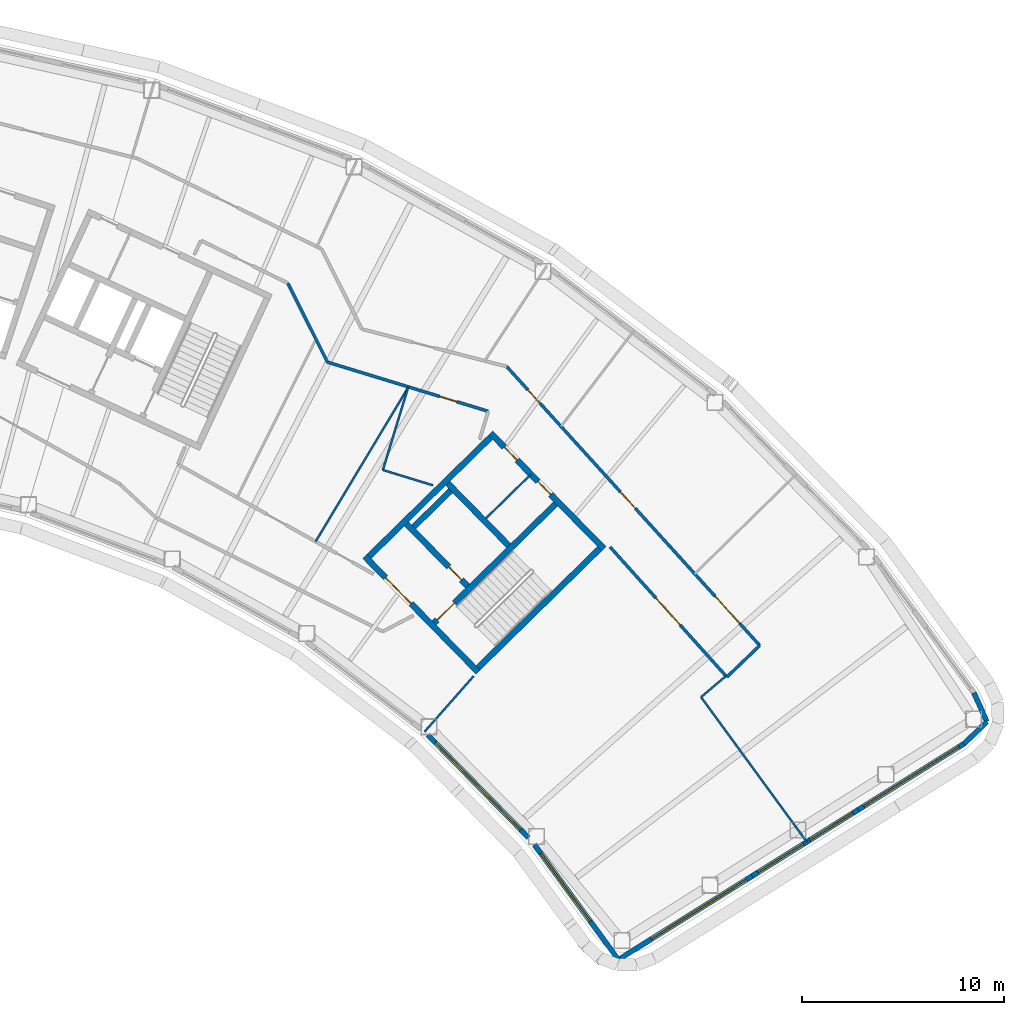
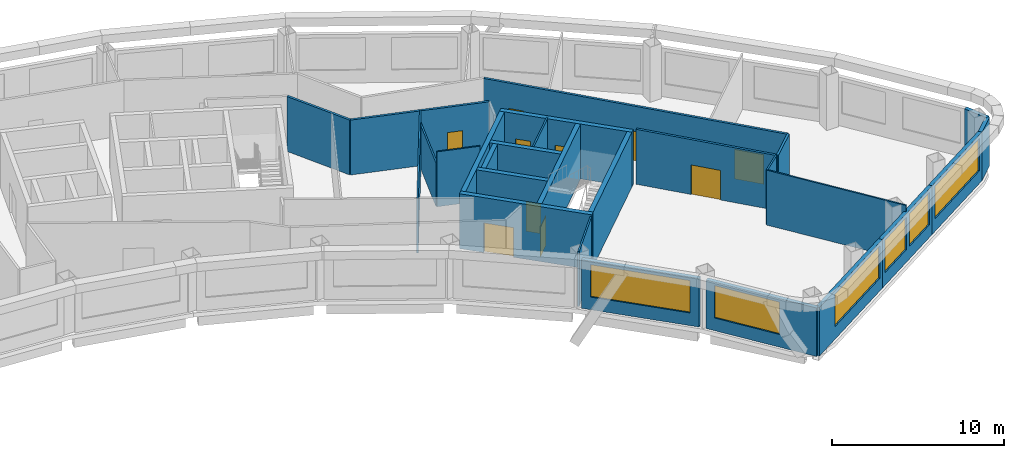
# One storey, part 9 of 14: 27 walls, 10 doors, 6 windows, 16 openings.
"""IFC4 building model written with IfcOpenShell, lengths in metres."""

import ifcopenshell
import ifcopenshell.guid

model = None  # the IFC model being written
_history = None  # IfcOwnerHistory: only IFC2X3 demands one
_inside = {}  # id of a spatial element -> (the spatial element, [elements in it])
_under = {}  # id of a project, library or spatial element -> (it, [spatial elements below it])
_declared = {}  # id of a project -> (the project, [libraries it declares])
_typed = {}  # id of a type object -> (the type object, [elements of that type])
_made_of = {}  # id of a material, layer set ... -> (it, [elements and type objects made of it])


def new_model(schema):
    """Start an empty IFC model of exactly this schema.

    Asked for "IFC4X3", IfcOpenShell would pick the latest addendum, in which some entities
    have other attributes; the version numbers below select the first issue.
    IFC2X3 requires an IfcOwnerHistory on every rooted entity: one is made here for all.
    """
    global model, _history
    if schema == "IFC4X3":
        model = ifcopenshell.file(schema_version=(4, 3, 0, 0))
    else:
        model = ifcopenshell.file(schema=schema)
    _inside.clear()
    _under.clear()
    _declared.clear()
    _typed.clear()
    _made_of.clear()
    _history = None
    if model.schema == "IFC2X3":
        org = make("IfcOrganization", Name="unknown")
        user = make(
            "IfcPersonAndOrganization",
            ThePerson=make("IfcPerson", FamilyName="unknown"),
            TheOrganization=org,
        )
        app = make(
            "IfcApplication",
            ApplicationDeveloper=org,
            Version="unknown",
            ApplicationFullName="unknown",
            ApplicationIdentifier="unknown",
        )
        _history = make(
            "IfcOwnerHistory",
            OwningUser=user,
            OwningApplication=app,
            ChangeAction="ADDED",
            CreationDate=0,
        )
    return model


def make(cls, **values):
    """One entity of the class cls with the attributes given. An attribute that is None is left unset."""
    return model.create_entity(
        cls, **{name: value for name, value in values.items() if value is not None}
    )


def rooted(cls, **values):
    """An entity with a GlobalId (a new one), such as an element, a storey or a relation."""
    return make(cls, GlobalId=ifcopenshell.guid.new(), OwnerHistory=_history, **values)


def si_unit(unit_type, name, prefix=None):
    """IfcSIUnit, for example si_unit("LENGTHUNIT", "METRE", prefix="MILLI")."""
    return make("IfcSIUnit", UnitType=unit_type, Prefix=prefix, Name=name)


def assignment(units):
    """IfcUnitAssignment: the units of a project."""
    return None if units is None else make("IfcUnitAssignment", Units=units)


def point(xyz):
    """IfcCartesianPoint."""
    return None if xyz is None else make("IfcCartesianPoint", Coordinates=xyz)


def direction(xyz):
    """IfcDirection."""
    return None if xyz is None else make("IfcDirection", DirectionRatios=xyz)


def frame(location, z_axis=None, x_axis=None):
    """IfcAxis2Placement3D, a coordinate frame: its origin and axes. An axis left out is left unset."""
    return make(
        "IfcAxis2Placement3D",
        Location=point(location),
        Axis=direction(z_axis),
        RefDirection=direction(x_axis),
    )


def frame_2d(location, x_axis=None):
    """IfcAxis2Placement2D, a coordinate frame in the plane: its origin and x axis."""
    return make(
        "IfcAxis2Placement2D", Location=point(location), RefDirection=direction(x_axis)
    )


def origin():
    """The frame at (0, 0, 0) with its axes left unset."""
    return frame((0.0, 0.0, 0.0))


def place(relative_to, where):
    """IfcLocalPlacement: puts the frame where relative to a parent placement (None: the world)."""
    return make(
        "IfcLocalPlacement", PlacementRelTo=relative_to, RelativePlacement=where
    )


def context(
    kind, dimensions, precision=None, world=None, true_north=None, identifier=None
):
    """IfcGeometricRepresentationContext, for example the 3D "Model" context."""
    return make(
        "IfcGeometricRepresentationContext",
        ContextIdentifier=identifier,
        ContextType=kind,
        CoordinateSpaceDimension=dimensions,
        Precision=precision,
        WorldCoordinateSystem=world,
        TrueNorth=true_north,
    )


def subcontext(parent, identifier, kind, view, scale=None):
    """IfcGeometricRepresentationSubContext, for example "Body" below "Model"."""
    return make(
        "IfcGeometricRepresentationSubContext",
        ContextIdentifier=identifier,
        ContextType=kind,
        ParentContext=parent,
        TargetScale=scale,
        TargetView=view,
    )


def project(units=None, contexts=None):
    """IfcProject with its units and contexts."""
    return rooted(
        "IfcProject",
        Name="project",
        RepresentationContexts=contexts,
        UnitsInContext=assignment(units),
    )


def spatial(cls, under=None, at=None, **own):
    """A site, building, storey or space (cls), placed at a placement, below another one or the project."""
    s = rooted(cls, ObjectPlacement=at, **own)
    if under is not None:
        _under.setdefault(under.id(), (under, []))[1].append(s)
    return s


def profile(cls, at=None, kind="AREA", **sizes):
    """A parametric profile (cls). Its sizes go by their IFC names, for example OverallWidth=200.0."""
    return make(cls, ProfileType=kind, Position=at, **sizes)


def rectangle(**sizes):
    """IfcRectangleProfileDef."""
    return profile("IfcRectangleProfileDef", **sizes)


def extrude(swept, where, along, depth):
    """IfcExtrudedAreaSolid: the profile swept, set in the frame where, extruded along a direction by depth."""
    return make(
        "IfcExtrudedAreaSolid",
        SweptArea=swept,
        Position=where,
        ExtrudedDirection=direction(along),
        Depth=depth,
    )


def shape(context_of_items, identifier, shape_type, items):
    """IfcShapeRepresentation: the items that make up one representation, for example the "Body"."""
    return make(
        "IfcShapeRepresentation",
        ContextOfItems=context_of_items,
        RepresentationIdentifier=identifier,
        RepresentationType=shape_type,
        Items=items,
    )


def material(Name=None, Category=None):
    """IfcMaterial."""
    return make("IfcMaterial", Name=Name, Category=Category)


def layer(
    of_material, thickness, ventilated=None, Name=None, Category=None, Priority=None
):
    """IfcMaterialLayer: one layer of a wall or slab, of a material (None: an air gap)."""
    return make(
        "IfcMaterialLayer",
        Material=of_material,
        LayerThickness=thickness,
        IsVentilated=ventilated,
        Name=Name,
        Category=Category,
        Priority=Priority,
    )


def layer_set(layers, Name=None):
    """IfcMaterialLayerSet."""
    return make("IfcMaterialLayerSet", MaterialLayers=layers, LayerSetName=Name)


def made_of(thing, what):
    """Note that an element or type object is made of a material, layer set ...; save() writes the relation."""
    if what is not None:
        _made_of.setdefault(what.id(), (what, []))[1].append(thing)
    return thing


def type_object(cls, material=None, **own):
    """A type object (cls), such as IfcWallType, which elements share."""
    return made_of(rooted(cls, **own), material)


def element(
    cls,
    number,
    at=None,
    inside=None,
    cuts=None,
    type_object=None,
    material=None,
    context=None,
    identifier="Body",
    shape_type=None,
    held_by="IfcProductDefinitionShape",
    body=None,
    shapes=None,
    **own,
):
    """One element of the class cls, such as IfcWall. Its Tag is "e" and its number.

    at: its placement. inside: the storey or other place that contains it. cuts: it is an
    opening in that element (IfcRelVoidsElement). A single representation is given by context,
    identifier, shape_type and body (its items); several are given by shapes. held_by: the class
    of the entity that holds the representations. save() writes the other relations.
    """
    e = rooted(cls, Tag="e%d" % number, ObjectPlacement=at, **own)
    if body is not None:
        shapes = [shape(context, identifier, shape_type, body)]
    if shapes is not None:
        e.Representation = make(held_by, Representations=shapes)
    if inside is not None:
        _inside.setdefault(inside.id(), (inside, []))[1].append(e)
    if cuts is not None:
        rooted(
            "IfcRelVoidsElement", RelatingBuildingElement=cuts, RelatedOpeningElement=e
        )
    if type_object is not None:
        _typed.setdefault(type_object.id(), (type_object, []))[1].append(e)
    return made_of(e, material)


def fill(opening, filler):
    """IfcRelFillsElement: the door or window that sits in an opening."""
    return rooted(
        "IfcRelFillsElement",
        RelatingOpeningElement=opening,
        RelatedBuildingElement=filler,
    )


def aggregate(whole, parts):
    """IfcRelAggregates: a whole, such as a stair, and the parts it consists of."""
    return rooted("IfcRelAggregates", RelatingObject=whole, RelatedObjects=parts)


def save(model, path):
    """Write the relations noted so far, then the file.

    IfcRelAggregates (storeys below a building ...), IfcRelContainedInSpatialStructure (elements
    in a storey), IfcRelDefinesByType, IfcRelAssociatesMaterial and IfcRelDeclares: one each for
    every whole, place, type object, material and project.
    """
    for whole, parts in _under.values():
        aggregate(whole, parts)
    for where, things in _inside.values():
        rooted(
            "IfcRelContainedInSpatialStructure",
            RelatedElements=things,
            RelatingStructure=where,
        )
    for kind, things in _typed.values():
        rooted("IfcRelDefinesByType", RelatedObjects=things, RelatingType=kind)
    for what, things in _made_of.values():
        rooted("IfcRelAssociatesMaterial", RelatedObjects=things, RelatingMaterial=what)
    for by, libraries in _declared.values():
        rooted("IfcRelDeclares", RelatingContext=by, RelatedDefinitions=libraries)
    model.write(path)


model = new_model("IFC4")

# Units and contexts
model_context = context("Model", 3, precision=1e-05, world=origin(), true_north=direction((0.0, 1.0)))
body_context = subcontext(model_context, "Body", "Model", "MODEL_VIEW")
ifc_project = project(units=[si_unit("LENGTHUNIT", "METRE"), si_unit("AREAUNIT", "SQUARE_METRE"), si_unit("VOLUMEUNIT", "CUBIC_METRE"), si_unit("PLANEANGLEUNIT", "RADIAN"), si_unit("MASSUNIT", "GRAM", prefix="KILO")], contexts=[model_context])

# Site, building, storey
site_placement = place(None, origin())
site = spatial("IfcSite", under=ifc_project, at=site_placement, CompositionType="ELEMENT")
building_placement = place(site_placement, origin())
building = spatial("IfcBuilding", under=site, at=building_placement, Name="Tuul Gate Civic Tower", CompositionType="ELEMENT")
storey_placement = place(building_placement, frame((0.0, 0.0, 269.39990234375)))
storey = spatial("IfcBuildingStorey", under=building, at=storey_placement, Name="Level 61", CompositionType="ELEMENT", Elevation=269.39990234375)

# Wall, opening, door
ifc_material_1 = material(Name="Concrete C50/60", Category="concrete")
ifc_layer_1 = layer(ifc_material_1, 0.300048828125)
ifc_layer_set_1 = layer_set([ifc_layer_1], Name="Concrete C50/60")
wall_type_1 = type_object("IfcWallType", Name="Core wall C50/60", PredefinedType="SHEAR", material=ifc_layer_set_1)
wall_1_placement = place(storey_placement, frame((48.22509765625, -18.327880859375, 0.0), z_axis=(0.0, 0.0, 1.0), x_axis=(-0.700021979774, 0.714121297703, 0.0)))
wall_1 = element("IfcWall", 1, at=wall_1_placement, inside=storey, type_object=wall_type_1, Name="Core wall", PredefinedType="SHEAR", context=body_context, shape_type="SweptSolid", body=[
    extrude(rectangle(XDim=8.0, YDim=0.300048828125, at=frame_2d((4.0, 0.0))), origin(), (0.0, 0.0, 1.0), 3.900146484375),
])
opening_1_placement = place(wall_1_placement, frame((4.72509765625, 0.0, 0.0)))
opening_1 = element("IfcOpeningElement", 2, at=opening_1_placement, cuts=wall_1, Name="Opening LB-E1-LOBBY-1", PredefinedType="OPENING", context=body_context, shape_type="SweptSolid", body=[
    extrude(rectangle(XDim=1.800048828125, YDim=2.10009765625, at=frame_2d((0.89990234375, 1.050048828125))), frame((0.0, 0.16015625, 0.0), z_axis=(0.0, -1.0, 0.0), x_axis=(1.0, 0.0, 0.0)), (0.0, 0.0, 1.0), 0.320068359375),
])
ifc_material_2 = material(Name="Steel", Category="steel")
door_type_1 = type_object("IfcDoorType", Name="Lobby door", OperationType="DOUBLE_DOOR_SINGLE_SWING", PredefinedType="DOOR", material=ifc_material_2)
door_1_placement = place(opening_1_placement, frame((1.800048828125, 0.0, 0.0), z_axis=(0.0, 0.0, 1.0), x_axis=(-1.0, 0.0, 0.0)))
door_1 = element("IfcDoor", 3, at=door_1_placement, inside=storey, type_object=door_type_1, Name="Lobby door E1-LOBBY", OperationType="DOUBLE_DOOR_SINGLE_SWING", OverallHeight=2.10009765625, OverallWidth=1.800048828125, PredefinedType="DOOR", context=body_context, shape_type="SweptSolid", body=[
    extrude(rectangle(XDim=1.800048828125, YDim=2.10009765625, at=frame_2d((0.900146484375, 1.050048828125))), frame((0.0, 0.02490234375, 0.0), z_axis=(0.0, -1.0, 0.0), x_axis=(1.0, 0.0, 0.0)), (0.0, 0.0, 1.0), 0.050048828125),
])
fill(opening_1, door_1)

wall_2_placement = place(storey_placement, frame((47.701904296875, -14.079833984375, 0.0), z_axis=(0.0, 0.0, 1.0), x_axis=(-0.700002721075, 0.714140175657, 0.0)))
wall_2 = element("IfcWall", 4, at=wall_2_placement, inside=storey, type_object=wall_type_1, Name="Core wall", PredefinedType="SHEAR", context=body_context, shape_type="SweptSolid", body=[
    extrude(rectangle(XDim=4.300048828125, YDim=0.300048828125, at=frame_2d((2.14990234375, 0.0))), origin(), (0.0, 0.0, 1.0), 3.900146484375),
])
opening_2_placement = place(wall_2_placement, frame((0.425048828125, 0.0, 0.0)))
opening_2 = element("IfcOpeningElement", 5, at=opening_2_placement, cuts=wall_2, Name="Opening FB-E1A1", PredefinedType="OPENING", context=body_context, shape_type="SweptSolid", body=[
    extrude(rectangle(XDim=0.89990234375, YDim=2.10009765625, at=frame_2d((0.449951171875, 1.050048828125))), frame((0.0, 0.16015625, 0.0), z_axis=(0.0, -1.0, 0.0), x_axis=(1.0, 0.0, 0.0)), (0.0, 0.0, 1.0), 0.320068359375),
])
ifc_material_3 = material(Name="Steel", Category="steel")
door_type_2 = type_object("IfcDoorType", Name="Store door", OperationType="NOTDEFINED", PredefinedType="DOOR", material=ifc_material_3)
door_2_placement = place(opening_2_placement, frame((0.89990234375, 0.0, 0.0), z_axis=(0.0, 0.0, 1.0), x_axis=(-1.0, 0.0, 0.0)))
door_2 = element("IfcDoor", 6, at=door_2_placement, inside=storey, type_object=door_type_2, Name="Store door E1A1", OperationType="SINGLE_SWING_RIGHT", OverallHeight=2.10009765625, OverallWidth=0.89990234375, PredefinedType="DOOR", context=body_context, shape_type="SweptSolid", body=[
    extrude(rectangle(XDim=0.89990234375, YDim=2.10009765625, at=frame_2d((0.449951171875, 1.050048828125))), frame((0.0, 0.02490234375, 0.0), z_axis=(0.0, -1.0, 0.0), x_axis=(1.0, 0.0, 0.0)), (0.0, 0.0, 1.0), 0.050048828125),
])
fill(opening_2, door_2)

# Wall
wall_3_placement = place(storey_placement, frame((49.737060546875, -12.0849609375, 0.0), z_axis=(0.0, 0.0, 1.0), x_axis=(-0.700002721075, 0.714140175657, 0.0)))
element("IfcWall", 7, at=wall_3_placement, inside=storey, type_object=wall_type_1, Name="Core wall", PredefinedType="SHEAR", context=body_context, shape_type="SweptSolid", body=[
    extrude(rectangle(XDim=4.300048828125, YDim=0.300048828125, at=frame_2d((2.14990234375, 0.0))), origin(), (0.0, 0.0, 1.0), 3.900146484375),
])

# Wall, openings, doors
wall_4_placement = place(storey_placement, frame((54.43798828125, -12.23779296875, 0.0), z_axis=(0.0, 0.0, 1.0), x_axis=(-0.700021979774, 0.714121297703, 0.0)))
wall_4 = element("IfcWall", 8, at=wall_4_placement, inside=storey, type_object=wall_type_1, Name="Core wall", PredefinedType="SHEAR", context=body_context, shape_type="SweptSolid", body=[
    extrude(rectangle(XDim=8.0, YDim=0.300048828125, at=frame_2d((4.0, 0.0))), origin(), (0.0, 0.0, 1.0), 3.900146484375),
])
opening_3_placement = place(wall_4_placement, frame((3.75, 0.0, 0.0)))
opening_3 = element("IfcOpeningElement", 9, at=opening_3_placement, cuts=wall_4, Name="Opening W-D35", PredefinedType="OPENING", context=body_context, shape_type="SweptSolid", body=[
    extrude(rectangle(XDim=0.89990234375, YDim=2.10009765625, at=frame_2d((0.449951171875, 1.050048828125))), frame((0.0, 0.16015625, 0.0), z_axis=(0.0, -1.0, 0.0), x_axis=(1.0, 0.0, 0.0)), (0.0, 0.0, 1.0), 0.320068359375),
])
opening_4_placement = place(wall_4_placement, frame((6.125, 0.0, 0.0)))
opening_4 = element("IfcOpeningElement", 10, at=opening_4_placement, cuts=wall_4, Name="Opening W-D36", PredefinedType="OPENING", context=body_context, shape_type="SweptSolid", body=[
    extrude(rectangle(XDim=0.89990234375, YDim=2.10009765625, at=frame_2d((0.449951171875, 1.050048828125))), frame((0.0, 0.16015625, 0.0), z_axis=(0.0, -1.0, 0.0), x_axis=(1.0, 0.0, 0.0)), (0.0, 0.0, 1.0), 0.320068359375),
])
ifc_material_4 = material(Name="Timber door leaf", Category="wood")
door_type_3 = type_object("IfcDoorType", Name="Door D09", OperationType="NOTDEFINED", PredefinedType="DOOR", material=ifc_material_4)
door_3_placement = place(opening_3_placement, origin())
door_3 = element("IfcDoor", 11, at=door_3_placement, inside=storey, type_object=door_type_3, Name="Door W-D35", OperationType="SINGLE_SWING_LEFT", OverallHeight=2.10009765625, OverallWidth=0.89990234375, PredefinedType="DOOR", context=body_context, shape_type="SweptSolid", body=[
    extrude(rectangle(XDim=0.89990234375, YDim=2.10009765625, at=frame_2d((0.449951171875, 1.050048828125))), frame((0.0, 0.02490234375, 0.0), z_axis=(0.0, -1.0, 0.0), x_axis=(1.0, 0.0, 0.0)), (0.0, 0.0, 1.0), 0.050048828125),
])
fill(opening_3, door_3)
door_4_placement = place(opening_4_placement, origin())
door_4 = element("IfcDoor", 12, at=door_4_placement, inside=storey, type_object=door_type_3, Name="Door W-D36", OperationType="SINGLE_SWING_LEFT", OverallHeight=2.10009765625, OverallWidth=0.89990234375, PredefinedType="DOOR", context=body_context, shape_type="SweptSolid", body=[
    extrude(rectangle(XDim=0.89990234375, YDim=2.10009765625, at=frame_2d((0.449951171875, 1.050048828125))), frame((0.0, 0.02490234375, 0.0), z_axis=(0.0, -1.0, 0.0), x_axis=(1.0, 0.0, 0.0)), (0.0, 0.0, 1.0), 0.050048828125),
])
fill(opening_4, door_4)

# Wall
wall_5_placement = place(storey_placement, frame((48.227294921875, -18.115966796875, 0.0), z_axis=(0.0, 0.0, 1.0), x_axis=(0.714105315431, 0.700038283577, 0.0)))
element("IfcWall", 13, at=wall_5_placement, inside=storey, type_object=wall_type_1, Name="Core wall", PredefinedType="SHEAR", context=body_context, shape_type="SweptSolid", body=[
    extrude(rectangle(XDim=8.400146484375, YDim=0.300048828125, at=frame_2d((4.2001953125, 0.0))), origin(), (0.0, 0.0, 1.0), 3.900146484375),
])

# Wall, opening, door
wall_6_placement = place(storey_placement, frame((46.05712890625, -15.902099609375, 0.0), z_axis=(0.0, 0.0, 1.0), x_axis=(0.714134086973, 0.700008932674, 0.0)))
wall_6 = element("IfcWall", 14, at=wall_6_placement, inside=storey, type_object=wall_type_1, Name="Core wall", PredefinedType="SHEAR", context=body_context, shape_type="SweptSolid", body=[
    extrude(rectangle(XDim=8.400146484375, YDim=0.300048828125, at=frame_2d((4.2001953125, 0.0))), origin(), (0.0, 0.0, 1.0), 3.900146484375),
])
opening_5_placement = place(wall_6_placement, frame((0.199951171875, 0.0, 0.0)))
opening_5 = element("IfcOpeningElement", 15, at=opening_5_placement, cuts=wall_6, Name="Opening SD-ST-3", PredefinedType="OPENING", context=body_context, shape_type="SweptSolid", body=[
    extrude(rectangle(XDim=1.199951171875, YDim=2.10009765625, at=frame_2d((0.60009765625, 1.050048828125))), frame((0.0, 0.16015625, 0.0), z_axis=(0.0, -1.0, 0.0), x_axis=(1.0, 0.0, 0.0)), (0.0, 0.0, 1.0), 0.320068359375),
])
ifc_material_5 = material(Name="Steel", Category="steel")
door_type_4 = type_object("IfcDoorType", Name="Stair door", OperationType="NOTDEFINED", PredefinedType="DOOR", material=ifc_material_5)
door_5_placement = place(opening_5_placement, origin())
door_5 = element("IfcDoor", 16, at=door_5_placement, inside=storey, type_object=door_type_4, Name="Stair door ST-3", OperationType="SINGLE_SWING_LEFT", OverallHeight=2.10009765625, OverallWidth=1.199951171875, PredefinedType="DOOR", context=body_context, shape_type="SweptSolid", body=[
    extrude(rectangle(XDim=1.199951171875, YDim=2.10009765625, at=frame_2d((0.60009765625, 1.050048828125))), frame((0.0, 0.02490234375, 0.0), z_axis=(0.0, -1.0, 0.0), x_axis=(1.0, 0.0, 0.0)), (0.0, 0.0, 1.0), 0.050048828125),
])
fill(opening_5, door_5)

# Walls
wall_7_placement = place(storey_placement, frame((45.0439453125, -11.154052734375, 0.0), z_axis=(0.0, 0.0, 1.0), x_axis=(0.714108498262, 0.700035036773, 0.0)))
element("IfcWall", 17, at=wall_7_placement, inside=storey, type_object=wall_type_1, Name="Core wall", PredefinedType="SHEAR", context=body_context, shape_type="SweptSolid", body=[
    extrude(rectangle(XDim=2.550048828125, YDim=0.300048828125, at=frame_2d((1.27490234375, 0.0))), origin(), (0.0, 0.0, 1.0), 3.900146484375),
])
wall_8_placement = place(storey_placement, frame((42.837158203125, -12.616943359375, 0.0), z_axis=(0.0, 0.0, 1.0), x_axis=(0.714119844755, 0.700023461983, 0.0)))
element("IfcWall", 18, at=wall_8_placement, inside=storey, type_object=wall_type_1, Name="Core wall", PredefinedType="SHEAR", context=body_context, shape_type="SweptSolid", body=[
    extrude(rectangle(XDim=8.39990234375, YDim=0.300048828125, at=frame_2d((4.199951171875, 0.0))), origin(), (0.0, 0.0, 1.0), 3.900146484375),
])

# Wall, opening, door
ifc_material_6 = material(Name="Gypsum board partition")
ifc_layer_2 = layer(ifc_material_6, 0.14990234375)
ifc_layer_set_2 = layer_set([ifc_layer_2], Name="Gypsum board partition")
wall_type_2 = type_object("IfcWallType", Name="Corridor wall P150", PredefinedType="PARTITIONING", material=ifc_layer_set_2)
wall_9_placement = place(storey_placement, frame((54.74072265625, -12.151123046875, 0.0), z_axis=(0.0, 0.0, 1.0), x_axis=(0.66824580338, -0.74394055291, 0.0)))
wall_9 = element("IfcWall", 19, at=wall_9_placement, inside=storey, type_object=wall_type_2, Name="p012", PredefinedType="PARTITIONING", context=body_context, shape_type="SweptSolid", body=[
    extrude(rectangle(XDim=8.63427734375, YDim=0.14990234375, at=frame_2d((4.317138671875, 0.0))), origin(), (0.0, 0.0, 1.0), 3.900146484375),
])
opening_6_placement = place(wall_9_placement, frame((3.382568359375, 0.0, 0.0)))
opening_6 = element("IfcOpeningElement", 20, at=opening_6_placement, cuts=wall_9, Name="Opening W-D21", PredefinedType="OPENING", context=body_context, shape_type="SweptSolid", body=[
    extrude(rectangle(XDim=1.800048828125, YDim=2.10009765625, at=frame_2d((0.89990234375, 1.050048828125))), frame((0.0, 0.0849609375, 0.0), z_axis=(0.0, -1.0, 0.0), x_axis=(1.0, 0.0, 0.0)), (0.0, 0.0, 1.0), 0.169921875),
])
ifc_material_7 = material(Name="Timber door leaf, double", Category="wood")
door_type_5 = type_object("IfcDoorType", Name="Door D18", OperationType="DOUBLE_DOOR_SINGLE_SWING", PredefinedType="DOOR", material=ifc_material_7)
door_6_placement = place(opening_6_placement, frame((1.800048828125, 0.0, 0.0), z_axis=(0.0, 0.0, 1.0), x_axis=(-1.0, 0.0, 0.0)))
door_6 = element("IfcDoor", 21, at=door_6_placement, inside=storey, type_object=door_type_5, Name="Door W-D21", OperationType="DOUBLE_DOOR_SINGLE_SWING", OverallHeight=2.10009765625, OverallWidth=1.800048828125, PredefinedType="DOOR", context=body_context, shape_type="SweptSolid", body=[
    extrude(rectangle(XDim=1.800048828125, YDim=2.10009765625, at=frame_2d((0.900146484375, 1.050048828125))), frame((0.0, 0.02490234375, 0.0), z_axis=(0.0, -1.0, 0.0), x_axis=(1.0, 0.0, 0.0)), (0.0, 0.0, 1.0), 0.050048828125),
])
fill(opening_6, door_6)

# Wall
wall_10_placement = place(storey_placement, frame((60.510498046875, -18.574462890625, 0.0), z_axis=(0.0, 0.0, 1.0), x_axis=(0.721601928115, 0.692308209788, 0.0)))
element("IfcWall", 22, at=wall_10_placement, inside=storey, type_object=wall_type_2, Name="p013", PredefinedType="PARTITIONING", context=body_context, shape_type="SweptSolid", body=[
    extrude(rectangle(XDim=2.250244140625, YDim=0.14990234375, at=frame_2d((1.125, 0.0))), origin(), (0.0, 0.0, 1.0), 3.900146484375),
])

# Wall, openings, doors
wall_11_placement = place(storey_placement, frame((49.636962890625, -3.2412109375, 0.0), z_axis=(0.0, 0.0, 1.0), x_axis=(0.671913916037, -0.740629252349, 0.0)))
wall_11 = element("IfcWall", 23, at=wall_11_placement, inside=storey, type_object=wall_type_2, Name="p014", PredefinedType="PARTITIONING", context=body_context, shape_type="SweptSolid", body=[
    extrude(rectangle(XDim=18.599609375, YDim=0.14990234375, at=frame_2d((9.2998046875, 0.0))), origin(), (0.0, 0.0, 1.0), 3.900146484375),
])
opening_7_placement = place(wall_11_placement, frame((15.310546875, 0.0, 0.0)))
opening_7 = element("IfcOpeningElement", 24, at=opening_7_placement, cuts=wall_11, Name="Opening W-D02", PredefinedType="OPENING", context=body_context, shape_type="SweptSolid", body=[
    extrude(rectangle(XDim=1.800048828125, YDim=2.10009765625, at=frame_2d((0.89990234375, 1.050048828125))), frame((0.0, 0.0849609375, 0.0), z_axis=(0.0, -1.0, 0.0), x_axis=(1.0, 0.0, 0.0)), (0.0, 0.0, 1.0), 0.169921875),
])
opening_8_placement = place(wall_11_placement, frame((8.356689453125, 0.0, 0.0)))
opening_8 = element("IfcOpeningElement", 25, at=opening_8_placement, cuts=wall_11, Name="Opening W-D03", PredefinedType="OPENING", context=body_context, shape_type="SweptSolid", body=[
    extrude(rectangle(XDim=1.10009765625, YDim=2.10009765625, at=frame_2d((0.550048828125, 1.050048828125))), frame((0.0, 0.0849609375, 0.0), z_axis=(0.0, -1.0, 0.0), x_axis=(1.0, 0.0, 0.0)), (0.0, 0.0, 1.0), 0.169921875),
])
opening_9_placement = place(wall_11_placement, frame((1.5458984375, 0.0, 0.0)))
opening_9 = element("IfcOpeningElement", 26, at=opening_9_placement, cuts=wall_11, Name="Opening W-D04", PredefinedType="OPENING", context=body_context, shape_type="SweptSolid", body=[
    extrude(rectangle(XDim=0.89990234375, YDim=2.10009765625, at=frame_2d((0.449951171875, 1.050048828125))), frame((0.0, 0.0849609375, 0.0), z_axis=(0.0, -1.0, 0.0), x_axis=(1.0, 0.0, 0.0)), (0.0, 0.0, 1.0), 0.169921875),
])
door_7_placement = place(opening_9_placement, origin())
door_7 = element("IfcDoor", 27, at=door_7_placement, inside=storey, type_object=door_type_3, Name="Door W-D04", OperationType="SINGLE_SWING_RIGHT", OverallHeight=2.10009765625, OverallWidth=0.89990234375, PredefinedType="DOOR", context=body_context, shape_type="SweptSolid", body=[
    extrude(rectangle(XDim=0.89990234375, YDim=2.10009765625, at=frame_2d((0.449951171875, 1.050048828125))), frame((0.0, 0.02490234375, 0.0), z_axis=(0.0, -1.0, 0.0), x_axis=(1.0, 0.0, 0.0)), (0.0, 0.0, 1.0), 0.050048828125),
])
fill(opening_9, door_7)
ifc_material_8 = material(Name="Timber door leaf", Category="wood")
door_type_6 = type_object("IfcDoorType", Name="Door D11", OperationType="NOTDEFINED", PredefinedType="DOOR", material=ifc_material_8)
door_8_placement = place(opening_8_placement, origin())
door_8 = element("IfcDoor", 28, at=door_8_placement, inside=storey, type_object=door_type_6, Name="Door W-D03", OperationType="SINGLE_SWING_RIGHT", OverallHeight=2.10009765625, OverallWidth=1.10009765625, PredefinedType="DOOR", context=body_context, shape_type="SweptSolid", body=[
    extrude(rectangle(XDim=1.10009765625, YDim=2.10009765625, at=frame_2d((0.550048828125, 1.050048828125))), frame((0.0, 0.02490234375, 0.0), z_axis=(0.0, -1.0, 0.0), x_axis=(1.0, 0.0, 0.0)), (0.0, 0.0, 1.0), 0.050048828125),
])
fill(opening_8, door_8)
door_9_placement = place(opening_7_placement, origin())
door_9 = element("IfcDoor", 29, at=door_9_placement, inside=storey, type_object=door_type_5, Name="Door W-D02", OperationType="DOUBLE_DOOR_SINGLE_SWING", OverallHeight=2.10009765625, OverallWidth=1.800048828125, PredefinedType="DOOR", context=body_context, shape_type="SweptSolid", body=[
    extrude(rectangle(XDim=1.800048828125, YDim=2.10009765625, at=frame_2d((0.89990234375, 1.050048828125))), frame((0.0, 0.02490234375, 0.0), z_axis=(0.0, -1.0, 0.0), x_axis=(1.0, 0.0, 0.0)), (0.0, 0.0, 1.0), 0.050048828125),
])
fill(opening_7, door_9)

# Wall, opening, door
wall_12_placement = place(storey_placement, frame((40.78662109375, -3.022705078125, 0.0), z_axis=(0.0, 0.0, 1.0), x_axis=(0.956268555028, -0.292490086439, 0.0)))
wall_12 = element("IfcWall", 30, at=wall_12_placement, inside=storey, type_object=wall_type_2, Name="p102", PredefinedType="PARTITIONING", context=body_context, shape_type="SweptSolid", body=[
    extrude(rectangle(XDim=8.291015625, YDim=0.14990234375, at=frame_2d((4.1455078125, 0.0))), origin(), (0.0, 0.0, 1.0), 3.900146484375),
])
opening_10_placement = place(wall_12_placement, frame((5.786865234375, 0.0, 0.0)))
opening_10 = element("IfcOpeningElement", 31, at=opening_10_placement, cuts=wall_12, Name="Opening W-D28", PredefinedType="OPENING", context=body_context, shape_type="SweptSolid", body=[
    extrude(rectangle(XDim=0.89990234375, YDim=2.10009765625, at=frame_2d((0.449951171875, 1.050048828125))), frame((0.0, 0.0849609375, 0.0), z_axis=(0.0, -1.0, 0.0), x_axis=(1.0, 0.0, 0.0)), (0.0, 0.0, 1.0), 0.169921875),
])
door_10_placement = place(opening_10_placement, frame((0.89990234375, 0.0, 0.0), z_axis=(0.0, 0.0, 1.0), x_axis=(-1.0, 0.0, 0.0)))
door_10 = element("IfcDoor", 32, at=door_10_placement, inside=storey, type_object=door_type_3, Name="Door W-D28", OperationType="SINGLE_SWING_LEFT", OverallHeight=2.10009765625, OverallWidth=0.89990234375, PredefinedType="DOOR", context=body_context, shape_type="SweptSolid", body=[
    extrude(rectangle(XDim=0.89990234375, YDim=2.10009765625, at=frame_2d((0.449951171875, 1.050048828125))), frame((0.0, 0.02490234375, 0.0), z_axis=(0.0, -1.0, 0.0), x_axis=(1.0, 0.0, 0.0)), (0.0, 0.0, 1.0), 0.050048828125),
])
fill(opening_10, door_10)

# Walls
wall_13_placement = place(storey_placement, frame((38.82568359375, 0.873291015625, 0.0), z_axis=(0.0, 0.0, 1.0), x_axis=(0.449451893891, -0.893304536582, 0.0)))
element("IfcWall", 33, at=wall_13_placement, inside=storey, type_object=wall_type_2, Name="p108", PredefinedType="PARTITIONING", context=body_context, shape_type="SweptSolid", body=[
    extrude(rectangle(XDim=4.3603515625, YDim=0.14990234375, at=frame_2d((2.18017578125, 0.0))), origin(), (0.0, 0.0, 1.0), 3.900146484375),
])
ifc_material_9 = material(Name="Precast concrete C40/50", Category="concrete")
ifc_layer_3 = layer(ifc_material_9, 0.25)
ifc_layer_set_3 = layer_set([ifc_layer_3], Name="Precast concrete C40/50")
wall_type_3 = type_object("IfcWallType", Name="External wall", PredefinedType="STANDARD", material=ifc_layer_set_3)
wall_14_placement = place(storey_placement, frame((72.2216796875, -21.86669921875, 0.0), z_axis=(0.0, 0.0, 1.0), x_axis=(0.722783622894, 0.69107440589, 0.0)))
element("IfcWall", 34, at=wall_14_placement, inside=storey, type_object=wall_type_3, Name="External wall", PredefinedType="STANDARD", context=body_context, shape_type="SweptSolid", body=[
    extrude(rectangle(XDim=1.570556640625, YDim=0.25, at=frame_2d((0.78515625, 0.0))), origin(), (0.0, 0.0, 1.0), 3.4501953125),
])
wall_15_placement = place(storey_placement, frame((73.35693359375, -20.78125, 0.0), z_axis=(0.0, 0.0, 1.0), x_axis=(-0.412995937313, 0.9107328674, 0.0)))
element("IfcWall", 35, at=wall_15_placement, inside=storey, type_object=wall_type_3, Name="External wall", PredefinedType="STANDARD", context=body_context, shape_type="SweptSolid", body=[
    extrude(rectangle(XDim=1.572998046875, YDim=0.25, at=frame_2d((0.78662109375, 0.0))), origin(), (0.0, 0.0, 1.0), 3.4501953125),
])

# Wall, opening, window
wall_16_placement = place(storey_placement, frame((45.73486328125, -21.428955078125, 0.0), z_axis=(0.0, 0.0, 1.0), x_axis=(0.700015105418, -0.714128036269, 0.0)))
wall_16 = element("IfcWall", 36, at=wall_16_placement, inside=storey, type_object=wall_type_3, Name="External wall", PredefinedType="STANDARD", context=body_context, shape_type="SweptSolid", body=[
    extrude(rectangle(XDim=7.10986328125, YDim=0.25, at=frame_2d((3.554931640625, 0.0))), origin(), (0.0, 0.0, 1.0), 3.4501953125),
])
opening_11_placement = place(wall_16_placement, frame((0.553955078125, 0.0, 0.89990234375)))
opening_11 = element("IfcOpeningElement", 37, at=opening_11_placement, cuts=wall_16, Name="Opening W26", PredefinedType="OPENING", context=body_context, shape_type="SweptSolid", body=[
    extrude(rectangle(XDim=6.0, YDim=2.300048828125, at=frame_2d((3.0, 1.14990234375))), frame((0.0, 0.135009765625, 0.0), z_axis=(0.0, -1.0, 0.0), x_axis=(1.0, 0.0, 0.0)), (0.0, 0.0, 1.0), 0.27001953125),
])
ifc_material_10 = material(Name="Glass", Category="glass")
window_type_1 = type_object("IfcWindowType", Name="Window W26 6000 x 2300", PartitioningType="SINGLE_PANEL", PredefinedType="WINDOW", material=ifc_material_10)
window_1_placement = place(opening_11_placement, origin())
window_1 = element("IfcWindow", 38, at=window_1_placement, inside=storey, type_object=window_type_1, Name="Window", OverallHeight=2.300048828125, OverallWidth=6.0, PartitioningType="SINGLE_PANEL", PredefinedType="WINDOW", context=body_context, shape_type="SweptSolid", body=[
    extrude(rectangle(XDim=6.0, YDim=2.300048828125, at=frame_2d((3.0, 1.14990234375))), frame((0.0, 0.030029296875, 0.0), z_axis=(0.0, -1.0, 0.0), x_axis=(1.0, 0.0, 0.0)), (0.0, 0.0, 1.0), 0.06005859375),
])
fill(opening_11, window_1)

wall_17_placement = place(storey_placement, frame((51.001708984375, -26.85009765625, 0.0), z_axis=(0.0, 0.0, 1.0), x_axis=(0.589734649771, -0.807597079526, 0.0)))
wall_17 = element("IfcWall", 39, at=wall_17_placement, inside=storey, type_object=wall_type_3, Name="External wall", PredefinedType="STANDARD", context=body_context, shape_type="SweptSolid", body=[
    extrude(rectangle(XDim=7.03515625, YDim=0.25, at=frame_2d((3.517578125, 0.0))), origin(), (0.0, 0.0, 1.0), 3.4501953125),
])
opening_12_placement = place(wall_17_placement, frame((0.527587890625, 0.0, 0.89990234375)))
opening_12 = element("IfcOpeningElement", 40, at=opening_12_placement, cuts=wall_17, Name="Opening W25", PredefinedType="OPENING", context=body_context, shape_type="SweptSolid", body=[
    extrude(rectangle(XDim=4.14990234375, YDim=2.300048828125, at=frame_2d((2.074951171875, 1.14990234375))), frame((0.0, 0.135009765625, 0.0), z_axis=(0.0, -1.0, 0.0), x_axis=(1.0, 0.0, 0.0)), (0.0, 0.0, 1.0), 0.27001953125),
])
ifc_material_11 = material(Name="Glass", Category="glass")
window_type_2 = type_object("IfcWindowType", Name="Window W25 4150 x 2300", PartitioningType="SINGLE_PANEL", PredefinedType="WINDOW", material=ifc_material_11)
window_2_placement = place(opening_12_placement, origin())
window_2 = element("IfcWindow", 41, at=window_2_placement, inside=storey, type_object=window_type_2, Name="Window", OverallHeight=2.300048828125, OverallWidth=4.14990234375, PartitioningType="SINGLE_PANEL", PredefinedType="WINDOW", context=body_context, shape_type="SweptSolid", body=[
    extrude(rectangle(XDim=4.14990234375, YDim=2.300048828125, at=frame_2d((2.074951171875, 1.14990234375))), frame((0.0, 0.030029296875, 0.0), z_axis=(0.0, -1.0, 0.0), x_axis=(1.0, 0.0, 0.0)), (0.0, 0.0, 1.0), 0.06005859375),
])
fill(opening_12, window_2)

wall_18_placement = place(storey_placement, frame((55.150634765625, -32.53173828125, 0.0), z_axis=(0.0, 0.0, 1.0), x_axis=(0.848019436648, 0.529965126274, 0.0)))
wall_18 = element("IfcWall", 42, at=wall_18_placement, inside=storey, type_object=wall_type_3, Name="External wall", PredefinedType="STANDARD", context=body_context, shape_type="SweptSolid", body=[
    extrude(rectangle(XDim=7.7880859375, YDim=0.25, at=frame_2d((3.89404296875, 0.0))), origin(), (0.0, 0.0, 1.0), 3.4501953125),
])
opening_13_placement = place(wall_18_placement, frame((1.921630859375, 0.0, 0.89990234375)))
opening_13 = element("IfcOpeningElement", 43, at=opening_13_placement, cuts=wall_18, Name="Opening W24", PredefinedType="OPENING", context=body_context, shape_type="SweptSolid", body=[
    extrude(rectangle(XDim=5.550048828125, YDim=2.300048828125, at=frame_2d((2.77490234375, 1.14990234375))), frame((0.0, 0.135009765625, 0.0), z_axis=(0.0, -1.0, 0.0), x_axis=(1.0, 0.0, 0.0)), (0.0, 0.0, 1.0), 0.27001953125),
])
ifc_material_12 = material(Name="Glass", Category="glass")
window_type_3 = type_object("IfcWindowType", Name="Window W24 5550 x 2300", PartitioningType="SINGLE_PANEL", PredefinedType="WINDOW", material=ifc_material_12)
window_3_placement = place(opening_13_placement, origin())
window_3 = element("IfcWindow", 44, at=window_3_placement, inside=storey, type_object=window_type_3, Name="Window", OverallHeight=2.300048828125, OverallWidth=5.550048828125, PartitioningType="SINGLE_PANEL", PredefinedType="WINDOW", context=body_context, shape_type="SweptSolid", body=[
    extrude(rectangle(XDim=5.550048828125, YDim=2.300048828125, at=frame_2d((2.77490234375, 1.14990234375))), frame((0.0, 0.030029296875, 0.0), z_axis=(0.0, -1.0, 0.0), x_axis=(1.0, 0.0, 0.0)), (0.0, 0.0, 1.0), 0.06005859375),
])
fill(opening_13, window_3)

# Wall, openings, windows
wall_19_placement = place(storey_placement, frame((61.755126953125, -28.404296875, 0.0), z_axis=(0.0, 0.0, 1.0), x_axis=(0.848036012993, 0.529938600846, 0.0)))
wall_19 = element("IfcWall", 45, at=wall_19_placement, inside=storey, type_object=wall_type_3, Name="External wall", PredefinedType="STANDARD", context=body_context, shape_type="SweptSolid", body=[
    extrude(rectangle(XDim=6.18310546875, YDim=0.25, at=frame_2d((3.091552734375, 0.0))), origin(), (0.0, 0.0, 1.0), 3.4501953125),
])
opening_14_placement = place(wall_19_placement, frame((0.33935546875, 0.0, 0.89990234375)))
opening_14 = element("IfcOpeningElement", 46, at=opening_14_placement, cuts=wall_19, Name="Opening W37", PredefinedType="OPENING", context=body_context, shape_type="SweptSolid", body=[
    extrude(rectangle(XDim=2.64990234375, YDim=2.300048828125, at=frame_2d((1.324951171875, 1.14990234375))), frame((0.0, 0.135009765625, 0.0), z_axis=(0.0, -1.0, 0.0), x_axis=(1.0, 0.0, 0.0)), (0.0, 0.0, 1.0), 0.27001953125),
])
opening_15_placement = place(wall_19_placement, frame((3.3642578125, 0.0, 0.89990234375)))
opening_15 = element("IfcOpeningElement", 47, at=opening_15_placement, cuts=wall_19, Name="Opening W38", PredefinedType="OPENING", context=body_context, shape_type="SweptSolid", body=[
    extrude(rectangle(XDim=2.5, YDim=2.300048828125, at=frame_2d((1.25, 1.14990234375))), frame((0.0, 0.135009765625, 0.0), z_axis=(0.0, -1.0, 0.0), x_axis=(1.0, 0.0, 0.0)), (0.0, 0.0, 1.0), 0.27001953125),
])
ifc_material_13 = material(Name="Glass", Category="glass")
window_type_4 = type_object("IfcWindowType", Name="Window 2500 x 2300", PartitioningType="SINGLE_PANEL", PredefinedType="WINDOW", material=ifc_material_13)
window_4_placement = place(opening_15_placement, origin())
window_4 = element("IfcWindow", 48, at=window_4_placement, inside=storey, type_object=window_type_4, Name="Window", OverallHeight=2.300048828125, OverallWidth=2.5, PartitioningType="SINGLE_PANEL", PredefinedType="WINDOW", context=body_context, shape_type="SweptSolid", body=[
    extrude(rectangle(XDim=2.5, YDim=2.300048828125, at=frame_2d((1.25, 1.14990234375))), frame((0.0, 0.030029296875, 0.0), z_axis=(0.0, -1.0, 0.0), x_axis=(1.0, 0.0, 0.0)), (0.0, 0.0, 1.0), 0.06005859375),
])
fill(opening_15, window_4)
ifc_material_14 = material(Name="Glass", Category="glass")
window_type_5 = type_object("IfcWindowType", Name="Window 2650 x 2300", PartitioningType="SINGLE_PANEL", PredefinedType="WINDOW", material=ifc_material_14)
window_5_placement = place(opening_14_placement, origin())
window_5 = element("IfcWindow", 49, at=window_5_placement, inside=storey, type_object=window_type_5, Name="Window", OverallHeight=2.300048828125, OverallWidth=2.64990234375, PartitioningType="SINGLE_PANEL", PredefinedType="WINDOW", context=body_context, shape_type="SweptSolid", body=[
    extrude(rectangle(XDim=2.64990234375, YDim=2.300048828125, at=frame_2d((1.324951171875, 1.14990234375))), frame((0.0, 0.030029296875, 0.0), z_axis=(0.0, -1.0, 0.0), x_axis=(1.0, 0.0, 0.0)), (0.0, 0.0, 1.0), 0.06005859375),
])
fill(opening_14, window_5)

# Wall, opening, window
wall_20_placement = place(storey_placement, frame((66.99853515625, -25.127685546875, 0.0), z_axis=(0.0, 0.0, 1.0), x_axis=(0.848024923451, 0.529956346509, 0.0)))
wall_20 = element("IfcWall", 50, at=wall_20_placement, inside=storey, type_object=wall_type_3, Name="External wall", PredefinedType="STANDARD", context=body_context, shape_type="SweptSolid", body=[
    extrude(rectangle(XDim=6.182861328125, YDim=0.25, at=frame_2d((3.09130859375, 0.0))), origin(), (0.0, 0.0, 1.0), 3.4501953125),
])
opening_16_placement = place(wall_20_placement, frame((0.31640625, 0.0, 0.89990234375)))
opening_16 = element("IfcOpeningElement", 51, at=opening_16_placement, cuts=wall_20, Name="Opening W24", PredefinedType="OPENING", context=body_context, shape_type="SweptSolid", body=[
    extrude(rectangle(XDim=5.550048828125, YDim=2.300048828125, at=frame_2d((2.77490234375, 1.14990234375))), frame((0.0, 0.135009765625, 0.0), z_axis=(0.0, -1.0, 0.0), x_axis=(1.0, 0.0, 0.0)), (0.0, 0.0, 1.0), 0.27001953125),
])
window_6_placement = place(opening_16_placement, origin())
window_6 = element("IfcWindow", 52, at=window_6_placement, inside=storey, type_object=window_type_3, Name="Window", OverallHeight=2.300048828125, OverallWidth=5.550048828125, PartitioningType="SINGLE_PANEL", PredefinedType="WINDOW", context=body_context, shape_type="SweptSolid", body=[
    extrude(rectangle(XDim=5.550048828125, YDim=2.300048828125, at=frame_2d((2.77490234375, 1.14990234375))), frame((0.0, 0.030029296875, 0.0), z_axis=(0.0, -1.0, 0.0), x_axis=(1.0, 0.0, 0.0)), (0.0, 0.0, 1.0), 0.06005859375),
])
fill(opening_16, window_6)

# Walls
ifc_material_15 = material(Name="Gypsum board partition")
ifc_layer_4 = layer(ifc_material_15, 0.10009765625)
ifc_layer_set_4 = layer_set([ifc_layer_4], Name="Gypsum board partition")
wall_type_4 = type_object("IfcWallType", Name="Partition P100", PredefinedType="PARTITIONING", material=ifc_layer_set_4)
wall_21_placement = place(storey_placement, frame((59.23486328125, -19.56494140625, 0.0), z_axis=(0.0, 0.0, 1.0), x_axis=(0.589815518848, -0.807538019988, 0.0)))
element("IfcWall", 53, at=wall_21_placement, inside=storey, type_object=wall_type_4, Name="p010", PredefinedType="PARTITIONING", context=body_context, shape_type="SweptSolid", body=[
    extrude(rectangle(XDim=8.859619140625, YDim=0.10009765625, at=frame_2d((4.4296875, 0.0))), origin(), (0.0, 0.0, 1.0), 3.900146484375),
])
wall_22_placement = place(storey_placement, frame((59.23486328125, -19.56494140625, 0.0), z_axis=(0.0, 0.0, 1.0), x_axis=(0.762880403702, 0.646539627283, 0.0)))
element("IfcWall", 54, at=wall_22_placement, inside=storey, type_object=wall_type_4, Name="p011", PredefinedType="PARTITIONING", context=body_context, shape_type="SweptSolid", body=[
    extrude(rectangle(XDim=1.611572265625, YDim=0.10009765625, at=frame_2d((0.8056640625, 0.0))), origin(), (0.0, 0.0, 1.0), 3.900146484375),
])
wall_23_placement = place(storey_placement, frame((45.57861328125, -21.27685546875, 0.0), z_axis=(0.0, 0.0, 1.0), x_axis=(0.661687751175, 0.749779514221, 0.0)))
element("IfcWall", 55, at=wall_23_placement, inside=storey, type_object=wall_type_4, Name="p065", PredefinedType="PARTITIONING", context=body_context, shape_type="SweptSolid", body=[
    extrude(rectangle(XDim=3.663818359375, YDim=0.10009765625, at=frame_2d((1.83203125, 0.0))), origin(), (0.0, 0.0, 1.0), 3.900146484375),
])
wall_24_placement = place(storey_placement, frame((43.520751953125, -8.34912109375, 0.0), z_axis=(0.0, 0.0, 1.0), x_axis=(0.956286267611, -0.292432170562, 0.0)))
element("IfcWall", 56, at=wall_24_placement, inside=storey, type_object=wall_type_4, Name="p104", PredefinedType="PARTITIONING", context=body_context, shape_type="SweptSolid", body=[
    extrude(rectangle(XDim=2.583984375, YDim=0.10009765625, at=frame_2d((1.2919921875, 0.0))), origin(), (0.0, 0.0, 1.0), 3.900146484375),
])
wall_25_placement = place(storey_placement, frame((40.19775390625, -11.88232421875, 0.0), z_axis=(0.0, 0.0, 1.0), x_axis=(0.515043744128, 0.857163894267, 0.0)))
element("IfcWall", 57, at=wall_25_placement, inside=storey, type_object=wall_type_4, Name="p106", PredefinedType="PARTITIONING", context=body_context, shape_type="SweptSolid", body=[
    extrude(rectangle(XDim=8.90869140625, YDim=0.10009765625, at=frame_2d((4.454345703125, 0.0))), origin(), (0.0, 0.0, 1.0), 3.900146484375),
])
wall_26_placement = place(storey_placement, frame((48.619140625, -10.72998046875, 0.0), z_axis=(0.0, 0.0, 1.0), x_axis=(0.714159293908, 0.699983216173, 0.0)))
element("IfcWall", 58, at=wall_26_placement, inside=storey, type_object=wall_type_4, Name="bE1-BAND-0", PredefinedType="PARTITIONING", context=body_context, shape_type="SweptSolid", body=[
    extrude(rectangle(XDim=3.099853515625, YDim=0.10009765625, at=frame_2d((1.5498046875, 0.0))), origin(), (0.0, 0.0, 1.0), 3.900146484375),
])
ifc_material_16 = material(Name="Gypsum board partition")
ifc_layer_5 = layer(ifc_material_16, 0.10009765625)
ifc_layer_set_5 = layer_set([ifc_layer_5], Name="Gypsum board partition")
wall_type_5 = type_object("IfcWallType", Name="Partition P100 3100 HIGH", PredefinedType="PARTITIONING", material=ifc_layer_set_5)
wall_27_placement = place(storey_placement, frame((43.520751953125, -8.34912109375, 0.0), z_axis=(0.0, 0.0, 1.0), x_axis=(0.29248828763, 0.956269105221, 0.0)))
element("IfcWall", 59, at=wall_27_placement, inside=storey, type_object=wall_type_5, Name="p105", PredefinedType="PARTITIONING", context=body_context, shape_type="SweptSolid", body=[
    extrude(rectangle(XDim=4.253662109375, YDim=0.10009765625, at=frame_2d((2.126953125, 0.0))), origin(), (0.0, 0.0, 1.0), 3.10009765625),
])

save(model, "model.ifc")
